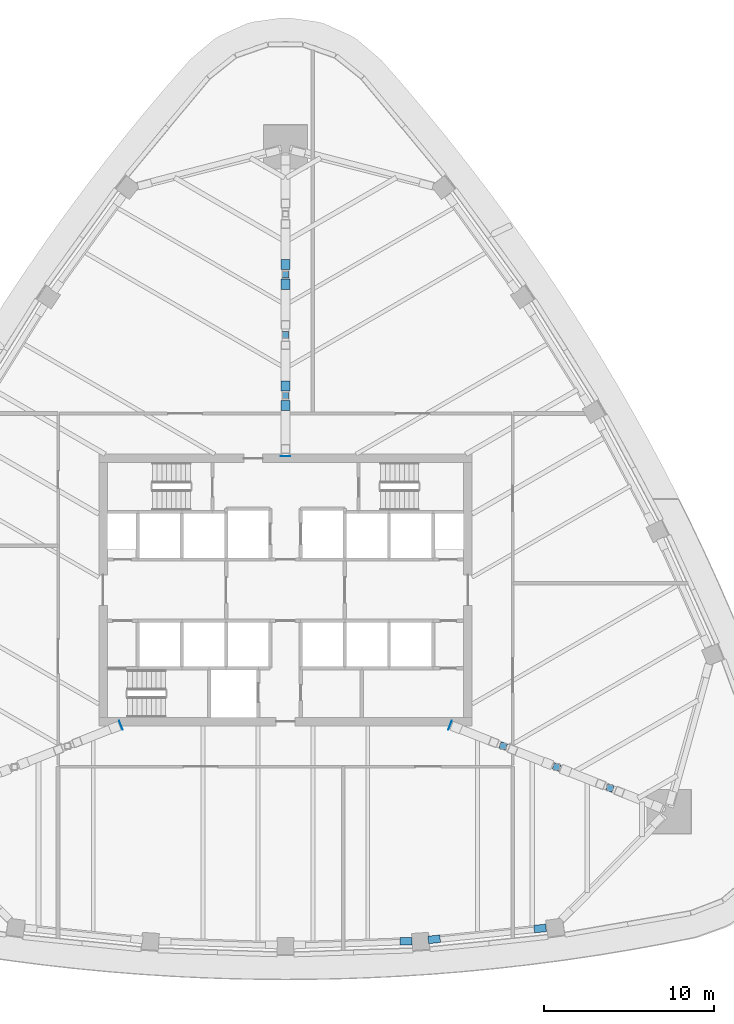
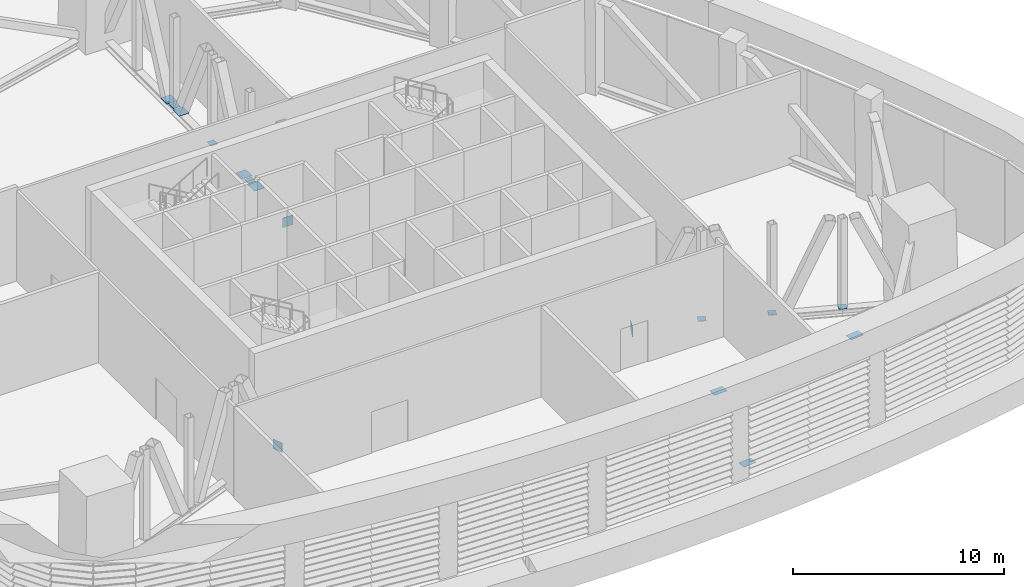
# One storey, part 9 of 18: 16 discrete accessories.
"""IFC4 building model written with IfcOpenShell, lengths in metres."""

from ifc_helpers import new_model, si_unit, direction, frame, origin, origin_2d, place, context, subcontext, project, spatial, rectangle, extrude, material, type_object, element, save


model = new_model("IFC4")

# Units and contexts
model_context = context("Model", 3, precision=1e-05, world=origin(), true_north=direction((0.0, 1.0)))
body_context = subcontext(model_context, "Body", "Model", "MODEL_VIEW")
ifc_project = project(units=[si_unit("LENGTHUNIT", "METRE"), si_unit("AREAUNIT", "SQUARE_METRE"), si_unit("VOLUMEUNIT", "CUBIC_METRE"), si_unit("PLANEANGLEUNIT", "RADIAN"), si_unit("MASSUNIT", "GRAM", prefix="KILO")], contexts=[model_context])

# Site, building, storey
site_placement = place(None, origin())
site = spatial("IfcSite", under=ifc_project, at=site_placement, CompositionType="ELEMENT")
building_placement = place(site_placement, origin())
building = spatial("IfcBuilding", under=site, at=building_placement, Name="Sierra Prisma Convention Tower", CompositionType="ELEMENT")
storey_placement = place(building_placement, frame((0.0, 0.0, 213.800048828125)))
storey = spatial("IfcBuildingStorey", under=building, at=storey_placement, Name="L48", CompositionType="ELEMENT", Elevation=213.800048828125)

# Discrete accessories
ifc_material = material(Name="Steel ASTM A992 Gr 50", Category="steel")
discrete_accessory_type = type_object("IfcDiscreteAccessoryType", Name="Truss end plate", PredefinedType="BRACKET", material=ifc_material)
for number, where, z_axis, x_axis, name in (
    (1, (7.101806640625, -20.6923828125, 5.21923828125), (0.0, 0.0, 1.0), (0.999421080185, 0.034022117546, 0.0), "Belt truss L48-04 diagonal 1 head end plate"),
    (2, (8.76318359375, -20.579345703125, 0.4072265625), (0.0, 0.0, 1.0), (0.99479587682, 0.10188799469, 0.0), "Belt truss L48-05 diagonal 1 foot end plate"),
    (3, (15.00341796875, -19.940185546875, 5.21923828125), (0.0, 0.0, 1.0), (0.99479587682, 0.10188799469, 0.0), "Belt truss L48-05 diagonal 1 head end plate"),
):
    element("IfcDiscreteAccessory", number, at=place(storey_placement, frame(where, z_axis=z_axis, x_axis=x_axis)), inside=storey, type_object=discrete_accessory_type, Name=name, PredefinedType="BRACKET", context=body_context, shape_type="SweptSolid", body=[
        extrude(rectangle(XDim=0.7060546875, YDim=0.446044921875, at=origin_2d()), origin(), (0.0, 0.0, 1.0), 0.014892578125),
    ])
discrete_accessory_1_placement = place(storey_placement, frame((9.6953125, -7.958740234375, -0.080078125), z_axis=(0.0, 0.0, 1.0), x_axis=(-0.93065149564, 0.365906810079, 0.0)))
element("IfcDiscreteAccessory", 4, at=discrete_accessory_1_placement, inside=storey, type_object=discrete_accessory_type, Name="Outrigger truss L48 SE bottom chord cast-in end plate", PredefinedType="BRACKET", context=body_context, shape_type="SweptSolid", body=[
    extrude(rectangle(XDim=0.014892578125, YDim=0.56396484375, at=origin_2d()), origin(), (0.0, 0.0, 1.0), 0.56689453125),
])
for number, where, z_axis, x_axis, name in (
    (5, (19.114013671875, -11.662109375, 0.4072265625), (0.0, 0.0, 1.0), (-0.93065149564, 0.365906810079, 0.0), "Outrigger truss L48 SE post 1 end plate"),
    (6, (15.97216796875, -10.4267578125, 0.4072265625), (0.0, 0.0, 1.0), (-0.93065149564, 0.365906810079, 0.0), "Outrigger truss L48 SE post 2 end plate"),
    (7, (12.830078125, -9.19140625, 0.4072265625), (0.0, 0.0, 1.0), (-0.93065149564, 0.365906810079, 0.0), "Outrigger truss L48 SE post 3 end plate"),
):
    element("IfcDiscreteAccessory", number, at=place(storey_placement, frame(where, z_axis=z_axis, x_axis=x_axis)), inside=storey, type_object=discrete_accessory_type, Name=name, PredefinedType="BRACKET", context=body_context, shape_type="SweptSolid", body=[
        extrude(rectangle(XDim=0.39599609375, YDim=0.39599609375, at=origin_2d()), origin(), (0.0, 0.0, 1.0), 0.014892578125),
    ])
for number, where, z_axis, x_axis, name in (
    (8, (0.0, 19.173095703125, 0.4072265625), (0.0, 0.0, 1.0), (0.0, -1.0, 0.0), "Outrigger truss L48 N diagonal 2 foot end plate"),
    (9, (0.0, 18.017578125, 0.4072265625), (0.0, 0.0, 1.0), (0.0, -1.0, 0.0), "Outrigger truss L48 N diagonal 3 foot end plate"),
    (10, (0.0, 12.029541015625, 0.4072265625), (0.0, 0.0, 1.0), (0.0, -1.0, 0.0), "Outrigger truss L48 N diagonal 4 foot end plate"),
):
    element("IfcDiscreteAccessory", number, at=place(storey_placement, frame(where, z_axis=z_axis, x_axis=x_axis)), inside=storey, type_object=discrete_accessory_type, Name=name, PredefinedType="BRACKET", context=body_context, shape_type="SweptSolid", body=[
        extrude(rectangle(XDim=0.60009765625, YDim=0.548095703125, at=origin_2d()), origin(), (0.0, 0.0, 1.0), 0.014892578125),
    ])
discrete_accessory_2_placement = place(storey_placement, frame((0.0, 7.887451171875, -0.080078125), z_axis=(0.0, 0.0, 1.0), x_axis=(0.0, -1.0, 0.0)))
element("IfcDiscreteAccessory", 11, at=discrete_accessory_2_placement, inside=storey, type_object=discrete_accessory_type, Name="Outrigger truss L48 N bottom chord cast-in end plate", PredefinedType="BRACKET", context=body_context, shape_type="SweptSolid", body=[
    extrude(rectangle(XDim=0.014892578125, YDim=0.56396484375, at=origin_2d()), origin(), (0.0, 0.0, 1.0), 0.56689453125),
])
discrete_accessory_3_placement = place(storey_placement, frame((0.0, 10.87060546875, 0.4072265625), z_axis=(0.0, 0.0, 1.0), x_axis=(0.0, -1.0, 0.0)))
element("IfcDiscreteAccessory", 12, at=discrete_accessory_3_placement, inside=storey, type_object=discrete_accessory_type, Name="Outrigger truss L48 N diagonal 5 foot end plate", PredefinedType="BRACKET", context=body_context, shape_type="SweptSolid", body=[
    extrude(rectangle(XDim=0.60693359375, YDim=0.548095703125, at=origin_2d()), origin(), (0.0, 0.0, 1.0), 0.014892578125),
])
for number, where, z_axis, x_axis, name in (
    (13, (0.0, 18.595458984375, 0.4072265625), (0.0, 0.0, 1.0), (0.0, -1.0, 0.0), "Outrigger truss L48 N post 2 end plate"),
    (14, (0.0, 15.023681640625, 0.4072265625), (0.0, 0.0, 1.0), (0.0, -1.0, 0.0), "Outrigger truss L48 N post 3 end plate"),
    (15, (0.0, 11.451904296875, 0.4072265625), (0.0, 0.0, 1.0), (0.0, -1.0, 0.0), "Outrigger truss L48 N post 4 end plate"),
):
    element("IfcDiscreteAccessory", number, at=place(storey_placement, frame(where, z_axis=z_axis, x_axis=x_axis)), inside=storey, type_object=discrete_accessory_type, Name=name, PredefinedType="BRACKET", context=body_context, shape_type="SweptSolid", body=[
        extrude(rectangle(XDim=0.39599609375, YDim=0.39599609375, at=origin_2d()), origin(), (0.0, 0.0, 1.0), 0.014892578125),
    ])
discrete_accessory_4_placement = place(storey_placement, frame((-9.6953125, -7.958740234375, -0.080078125), z_axis=(0.0, 0.0, 1.0), x_axis=(0.93065149564, 0.365906810079, 0.0)))
element("IfcDiscreteAccessory", 16, at=discrete_accessory_4_placement, inside=storey, type_object=discrete_accessory_type, Name="Outrigger truss L48 SW bottom chord cast-in end plate", PredefinedType="BRACKET", context=body_context, shape_type="SweptSolid", body=[
    extrude(rectangle(XDim=0.014892578125, YDim=0.56396484375, at=origin_2d()), origin(), (0.0, 0.0, 1.0), 0.56689453125),
])

save(model, "model.ifc")
